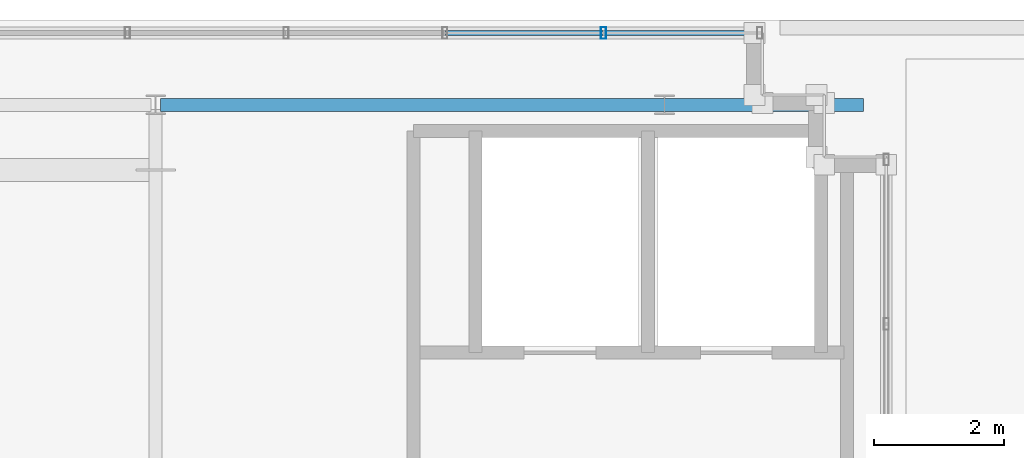
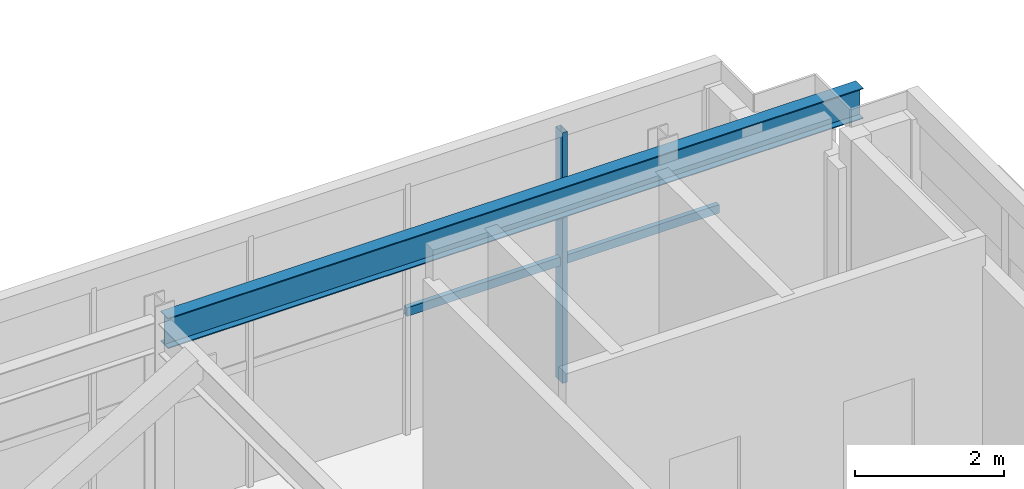
# One storey, part 11 of 28: 3 members, 1 beam, 1 element without a shape of its own.
"""IFC4 building model written with IfcOpenShell, lengths in metres."""

import ifcopenshell
import ifcopenshell.guid

model = None  # the IFC model being written
_history = None  # IfcOwnerHistory: only IFC2X3 demands one
_inside = {}  # id of a spatial element -> (the spatial element, [elements in it])
_under = {}  # id of a project, library or spatial element -> (it, [spatial elements below it])
_declared = {}  # id of a project -> (the project, [libraries it declares])
_typed = {}  # id of a type object -> (the type object, [elements of that type])
_made_of = {}  # id of a material, layer set ... -> (it, [elements and type objects made of it])


def new_model(schema):
    """Start an empty IFC model of exactly this schema.

    Asked for "IFC4X3", IfcOpenShell would pick the latest addendum, in which some entities
    have other attributes; the version numbers below select the first issue.
    IFC2X3 requires an IfcOwnerHistory on every rooted entity: one is made here for all.
    """
    global model, _history
    if schema == "IFC4X3":
        model = ifcopenshell.file(schema_version=(4, 3, 0, 0))
    else:
        model = ifcopenshell.file(schema=schema)
    _inside.clear()
    _under.clear()
    _declared.clear()
    _typed.clear()
    _made_of.clear()
    _history = None
    if model.schema == "IFC2X3":
        org = make("IfcOrganization", Name="unknown")
        user = make(
            "IfcPersonAndOrganization",
            ThePerson=make("IfcPerson", FamilyName="unknown"),
            TheOrganization=org,
        )
        app = make(
            "IfcApplication",
            ApplicationDeveloper=org,
            Version="unknown",
            ApplicationFullName="unknown",
            ApplicationIdentifier="unknown",
        )
        _history = make(
            "IfcOwnerHistory",
            OwningUser=user,
            OwningApplication=app,
            ChangeAction="ADDED",
            CreationDate=0,
        )
    return model


def make(cls, **values):
    """One entity of the class cls with the attributes given. An attribute that is None is left unset."""
    return model.create_entity(
        cls, **{name: value for name, value in values.items() if value is not None}
    )


def rooted(cls, **values):
    """An entity with a GlobalId (a new one), such as an element, a storey or a relation."""
    return make(cls, GlobalId=ifcopenshell.guid.new(), OwnerHistory=_history, **values)


def si_unit(unit_type, name, prefix=None):
    """IfcSIUnit, for example si_unit("LENGTHUNIT", "METRE", prefix="MILLI")."""
    return make("IfcSIUnit", UnitType=unit_type, Prefix=prefix, Name=name)


def assignment(units):
    """IfcUnitAssignment: the units of a project."""
    return None if units is None else make("IfcUnitAssignment", Units=units)


def point(xyz):
    """IfcCartesianPoint."""
    return None if xyz is None else make("IfcCartesianPoint", Coordinates=xyz)


def direction(xyz):
    """IfcDirection."""
    return None if xyz is None else make("IfcDirection", DirectionRatios=xyz)


def frame(location, z_axis=None, x_axis=None):
    """IfcAxis2Placement3D, a coordinate frame: its origin and axes. An axis left out is left unset."""
    return make(
        "IfcAxis2Placement3D",
        Location=point(location),
        Axis=direction(z_axis),
        RefDirection=direction(x_axis),
    )


def frame_2d(location, x_axis=None):
    """IfcAxis2Placement2D, a coordinate frame in the plane: its origin and x axis."""
    return make(
        "IfcAxis2Placement2D", Location=point(location), RefDirection=direction(x_axis)
    )


def origin():
    """The frame at (0, 0, 0) with its axes left unset."""
    return frame((0.0, 0.0, 0.0))


def origin_2d():
    """The frame at (0, 0) in the plane with its x axis left unset."""
    return frame_2d((0.0, 0.0))


def place(relative_to, where):
    """IfcLocalPlacement: puts the frame where relative to a parent placement (None: the world)."""
    return make(
        "IfcLocalPlacement", PlacementRelTo=relative_to, RelativePlacement=where
    )


def context(
    kind, dimensions, precision=None, world=None, true_north=None, identifier=None
):
    """IfcGeometricRepresentationContext, for example the 3D "Model" context."""
    return make(
        "IfcGeometricRepresentationContext",
        ContextIdentifier=identifier,
        ContextType=kind,
        CoordinateSpaceDimension=dimensions,
        Precision=precision,
        WorldCoordinateSystem=world,
        TrueNorth=true_north,
    )


def subcontext(parent, identifier, kind, view, scale=None):
    """IfcGeometricRepresentationSubContext, for example "Body" below "Model"."""
    return make(
        "IfcGeometricRepresentationSubContext",
        ContextIdentifier=identifier,
        ContextType=kind,
        ParentContext=parent,
        TargetScale=scale,
        TargetView=view,
    )


def project(units=None, contexts=None):
    """IfcProject with its units and contexts."""
    return rooted(
        "IfcProject",
        Name="project",
        RepresentationContexts=contexts,
        UnitsInContext=assignment(units),
    )


def spatial(cls, under=None, at=None, **own):
    """A site, building, storey or space (cls), placed at a placement, below another one or the project."""
    s = rooted(cls, ObjectPlacement=at, **own)
    if under is not None:
        _under.setdefault(under.id(), (under, []))[1].append(s)
    return s


def profile(cls, at=None, kind="AREA", **sizes):
    """A parametric profile (cls). Its sizes go by their IFC names, for example OverallWidth=200.0."""
    return make(cls, ProfileType=kind, Position=at, **sizes)


def hollow_rectangle(**sizes):
    """IfcRectangleHollowProfileDef."""
    return profile("IfcRectangleHollowProfileDef", **sizes)


def i_section(**sizes):
    """IfcIShapeProfileDef."""
    return profile("IfcIShapeProfileDef", **sizes)


def extrude(swept, where, along, depth):
    """IfcExtrudedAreaSolid: the profile swept, set in the frame where, extruded along a direction by depth."""
    return make(
        "IfcExtrudedAreaSolid",
        SweptArea=swept,
        Position=where,
        ExtrudedDirection=direction(along),
        Depth=depth,
    )


def shape(context_of_items, identifier, shape_type, items):
    """IfcShapeRepresentation: the items that make up one representation, for example the "Body"."""
    return make(
        "IfcShapeRepresentation",
        ContextOfItems=context_of_items,
        RepresentationIdentifier=identifier,
        RepresentationType=shape_type,
        Items=items,
    )


def source(mapping_origin, context_of_items, identifier, shape_type, items):
    """IfcRepresentationMap: a shape defined once, which mapped items show again and again."""
    return make(
        "IfcRepresentationMap",
        MappingOrigin=mapping_origin,
        MappedRepresentation=shape(context_of_items, identifier, shape_type, items),
    )


def transform(
    local_origin,
    x_axis=None,
    y_axis=None,
    z_axis=None,
    scale=None,
    scale2=None,
    scale3=None,
    uniform=True,
):
    """IfcCartesianTransformationOperator3D, or its non-uniform kind. x_axis, y_axis, z_axis: its Axis1, 2, 3."""
    if uniform:
        return make(
            "IfcCartesianTransformationOperator3D",
            Axis1=direction(x_axis),
            Axis2=direction(y_axis),
            LocalOrigin=point(local_origin),
            Scale=scale,
            Axis3=direction(z_axis),
        )
    return make(
        "IfcCartesianTransformationOperator3DnonUniform",
        Axis1=direction(x_axis),
        Axis2=direction(y_axis),
        LocalOrigin=point(local_origin),
        Scale=scale,
        Axis3=direction(z_axis),
        Scale2=scale2,
        Scale3=scale3,
    )


def mapped(mapping_source, mapping_target):
    """IfcMappedItem: shows the shape of a source again, moved by a transform."""
    return make(
        "IfcMappedItem", MappingSource=mapping_source, MappingTarget=mapping_target
    )


def material(Name=None, Category=None):
    """IfcMaterial."""
    return make("IfcMaterial", Name=Name, Category=Category)


def material_profile(
    of_material, cross_section, Name=None, Category=None, Priority=None
):
    """IfcMaterialProfile: a cross section and its material."""
    return make(
        "IfcMaterialProfile",
        Name=Name,
        Material=of_material,
        Profile=cross_section,
        Priority=Priority,
        Category=Category,
    )


def profile_set(profiles, Name=None, composite=None):
    """IfcMaterialProfileSet."""
    return make(
        "IfcMaterialProfileSet",
        Name=Name,
        MaterialProfiles=profiles,
        CompositeProfile=composite,
    )


def made_of(thing, what):
    """Note that an element or type object is made of a material, layer set ...; save() writes the relation."""
    if what is not None:
        _made_of.setdefault(what.id(), (what, []))[1].append(thing)
    return thing


def type_object(cls, material=None, **own):
    """A type object (cls), such as IfcWallType, which elements share."""
    return made_of(rooted(cls, **own), material)


def element(
    cls,
    number,
    at=None,
    inside=None,
    cuts=None,
    type_object=None,
    material=None,
    context=None,
    identifier="Body",
    shape_type=None,
    held_by="IfcProductDefinitionShape",
    body=None,
    shapes=None,
    **own,
):
    """One element of the class cls, such as IfcWall. Its Tag is "e" and its number.

    at: its placement. inside: the storey or other place that contains it. cuts: it is an
    opening in that element (IfcRelVoidsElement). A single representation is given by context,
    identifier, shape_type and body (its items); several are given by shapes. held_by: the class
    of the entity that holds the representations. save() writes the other relations.
    """
    e = rooted(cls, Tag="e%d" % number, ObjectPlacement=at, **own)
    if body is not None:
        shapes = [shape(context, identifier, shape_type, body)]
    if shapes is not None:
        e.Representation = make(held_by, Representations=shapes)
    if inside is not None:
        _inside.setdefault(inside.id(), (inside, []))[1].append(e)
    if cuts is not None:
        rooted(
            "IfcRelVoidsElement", RelatingBuildingElement=cuts, RelatedOpeningElement=e
        )
    if type_object is not None:
        _typed.setdefault(type_object.id(), (type_object, []))[1].append(e)
    return made_of(e, material)


def aggregate(whole, parts):
    """IfcRelAggregates: a whole, such as a stair, and the parts it consists of."""
    return rooted("IfcRelAggregates", RelatingObject=whole, RelatedObjects=parts)


def save(model, path):
    """Write the relations noted so far, then the file.

    IfcRelAggregates (storeys below a building ...), IfcRelContainedInSpatialStructure (elements
    in a storey), IfcRelDefinesByType, IfcRelAssociatesMaterial and IfcRelDeclares: one each for
    every whole, place, type object, material and project.
    """
    for whole, parts in _under.values():
        aggregate(whole, parts)
    for where, things in _inside.values():
        rooted(
            "IfcRelContainedInSpatialStructure",
            RelatedElements=things,
            RelatingStructure=where,
        )
    for kind, things in _typed.values():
        rooted("IfcRelDefinesByType", RelatedObjects=things, RelatingType=kind)
    for what, things in _made_of.values():
        rooted("IfcRelAssociatesMaterial", RelatedObjects=things, RelatingMaterial=what)
    for by, libraries in _declared.values():
        rooted("IfcRelDeclares", RelatingContext=by, RelatedDefinitions=libraries)
    model.write(path)


model = new_model("IFC4")

# Units and contexts
model_context = context("Model", 3, precision=1e-05, world=origin(), true_north=direction((0.0, 1.0)))
body_context = subcontext(model_context, "Body", "Model", "MODEL_VIEW")
ifc_project = project(units=[si_unit("LENGTHUNIT", "METRE"), si_unit("AREAUNIT", "SQUARE_METRE"), si_unit("VOLUMEUNIT", "CUBIC_METRE"), si_unit("PLANEANGLEUNIT", "RADIAN"), si_unit("MASSUNIT", "GRAM", prefix="KILO")], contexts=[model_context])

# Site, building, storey
site_placement = place(None, origin())
site = spatial("IfcSite", under=ifc_project, at=site_placement, CompositionType="ELEMENT")
building_placement = place(site_placement, origin())
building = spatial("IfcBuilding", under=site, at=building_placement, Name="Trelvane Seafront Commons", CompositionType="ELEMENT")
storey_placement = place(building_placement, frame((0.0, 0.0, 312.300048828125)))
storey = spatial("IfcBuildingStorey", under=building, at=storey_placement, Name="L81", CompositionType="ELEMENT", Elevation=312.300048828125)

# Beam
ifc_material_1 = material(Name="Steel SM355 (S355)", Category="steel")
ifc_material_profile_1 = material_profile(ifc_material_1, i_section(OverallWidth=0.199951171875, OverallDepth=0.5, WebThickness=0.010009765625, FlangeThickness=0.01611328125, at=origin_2d()), Name="H-500x200x10x16")
ifc_profile_set_1 = profile_set([ifc_material_profile_1], Name="Steel SM355 (S355)")
beam_type = type_object("IfcBeamType", Name="STR-CROWN-FRAME-RING", PredefinedType="SPANDREL", material=ifc_profile_set_1)
shared_shape_1 = source(origin(), body_context, "Body", "SweptSolid", [
    extrude(i_section(OverallWidth=0.199951171875, OverallDepth=0.5, WebThickness=0.010009765625, FlangeThickness=0.01611328125, at=origin_2d()), origin(), (0.0, 0.0, 1.0), 10.77490234375),
])
beam_placement = place(storey_placement, frame((15.675048828125, 45.10009765625, 3.85986328125), z_axis=(1.0, 0.0, 0.0), x_axis=(0.0, 1.0, 0.0)))
element("IfcBeam", 1, at=beam_placement, inside=storey, type_object=beam_type, Name="L81 CROWN FRAME Ring Beam G-10", PredefinedType="SPANDREL", context=body_context, shape_type="MappedRepresentation", body=[
    mapped(shared_shape_1, transform((0.0, 0.0, 0.0), x_axis=(1.0, 0.0, 0.0), y_axis=(0.0, 1.0, 0.0), z_axis=(0.0, 0.0, 1.0), scale=1.0)),
])

# Curtain wall, members
ifc_material_2 = material(Name="Anodised pale-silver aluminium", Category="aluminium")
curtain_wall_type = type_object("IfcCurtainWallType", Name="ARCH-CW6-CROWN", PredefinedType="NOTDEFINED", material=ifc_material_2)
curtain_wall_placement = place(storey_placement, origin())
curtain_wall = element("IfcCurtainWall", 2, at=curtain_wall_placement, inside=storey, type_object=curtain_wall_type, Name="CW-L81-0145", PredefinedType="NOTDEFINED")
ifc_material_profile_2 = material_profile(ifc_material_2, hollow_rectangle(XDim=0.080078125, YDim=0.179931640625, WallThickness=0.00439453125, at=origin_2d()), Name="MULL-80x180x4.5")
ifc_profile_set_2 = profile_set([ifc_material_profile_2], Name="Anodised pale-silver aluminium")
member_type_1 = type_object("IfcMemberType", Name="ARCH-CW-MULL-180", PredefinedType="MULLION", material=ifc_profile_set_2)
shared_shape_2 = source(origin(), body_context, "Body", "SweptSolid", [
    extrude(hollow_rectangle(XDim=0.080078125, YDim=0.179931640625, WallThickness=0.00439453125, at=origin_2d()), origin(), (0.0, 0.0, 1.0), 4.10986328125),
])
member_1_placement = place(storey_placement, frame((22.466796875, 46.199951171875, 0.0), z_axis=(0.0, 0.0, 1.0), x_axis=(1.0, 0.0, 0.0)))
member_1 = element("IfcMember", 3, at=member_1_placement, type_object=member_type_1, Name="CW-L81-0145-M05", PredefinedType="MULLION", context=body_context, shape_type="MappedRepresentation", body=[
    mapped(shared_shape_2, transform((0.0, 0.0, 0.0), x_axis=(1.0, 0.0, 0.0), y_axis=(0.0, 1.0, 0.0), z_axis=(0.0, 0.0, 1.0), scale=1.0)),
])
ifc_material_profile_3 = material_profile(ifc_material_2, hollow_rectangle(XDim=0.074951171875, YDim=0.139892578125, WallThickness=0.00390625, at=origin_2d()), Name="TRAN-75x140x4")
ifc_profile_set_3 = profile_set([ifc_material_profile_3], Name="Anodised pale-silver aluminium")
member_type_2 = type_object("IfcMemberType", Name="ARCH-CW-TRAN-140", PredefinedType="USERDEFINED", material=ifc_profile_set_3)
shared_shape_3 = source(origin(), body_context, "Body", "SweptSolid", [
    extrude(hollow_rectangle(XDim=0.074951171875, YDim=0.139892578125, WallThickness=0.00390625, at=origin_2d()), origin(), (0.0, 0.0, 1.0), 2.4091796875),
])
member_2_placement = place(storey_placement, frame((20.04541015625, 46.199951171875, 1.972900390625), z_axis=(1.0, 0.0, 0.0), x_axis=(0.0, 1.0, 0.0)))
member_2 = element("IfcMember", 4, at=member_2_placement, type_object=member_type_2, Name="CW-L81-0145-T04", ObjectType="TRANSOM", PredefinedType="USERDEFINED", context=body_context, shape_type="MappedRepresentation", body=[
    mapped(shared_shape_3, transform((0.0, 0.0, 0.0), x_axis=(1.0, 0.0, 0.0), y_axis=(0.0, 1.0, 0.0), z_axis=(0.0, 0.0, 1.0), scale=1.0)),
])
member_3_placement = place(storey_placement, frame((22.478759765625, 46.199951171875, 1.972900390625), z_axis=(1.0, 0.0, 0.0), x_axis=(0.0, 1.0, 0.0)))
member_3 = element("IfcMember", 5, at=member_3_placement, type_object=member_type_2, Name="CW-L81-0145-T05", ObjectType="TRANSOM", PredefinedType="USERDEFINED", context=body_context, shape_type="MappedRepresentation", body=[
    mapped(shared_shape_3, transform((0.0, 0.0, 0.0), x_axis=(1.0, 0.0, 0.0), y_axis=(0.0, 1.0, 0.0), z_axis=(0.0, 0.0, 1.0), scale=1.0)),
])
aggregate(curtain_wall, [member_1, member_2, member_3])

save(model, "model.ifc")
